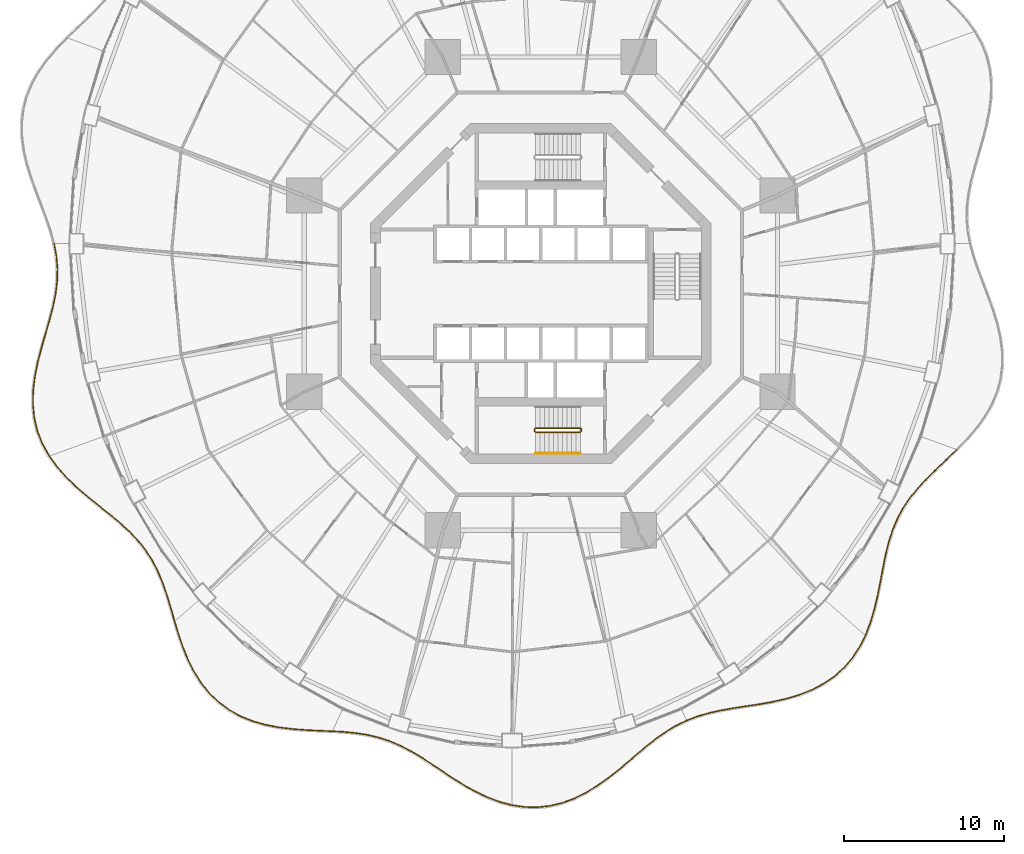
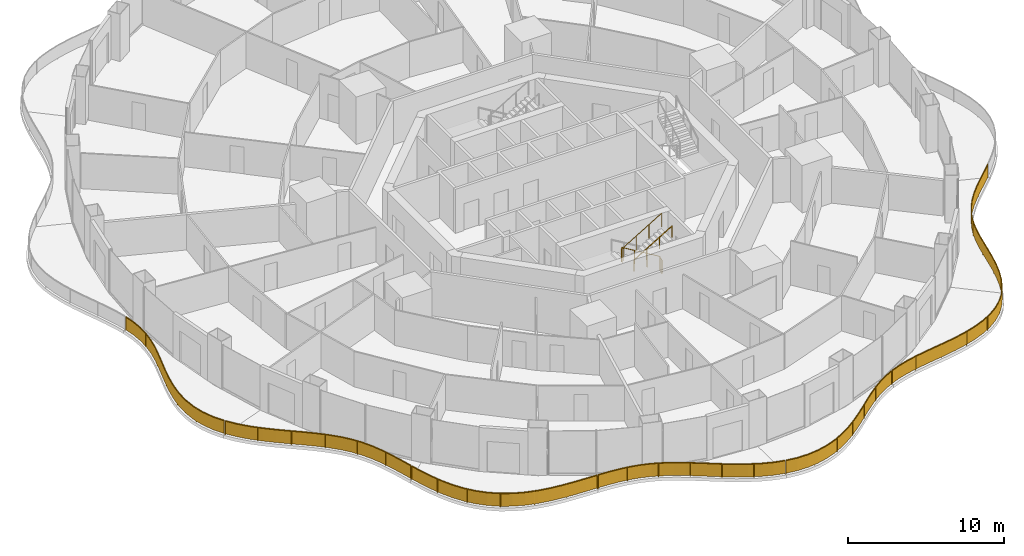
# One storey, part 20 of 22: 9 railings.
"""IFC4 building model written with IfcOpenShell, lengths in metres."""

from ifc_helpers import new_model, si_unit, direction, frame, origin, origin_2d, place, context, subcontext, project, spatial, polyline, rectangle, circle, outline, extrude, material, type_object, element, save


model = new_model("IFC4")

# Units and contexts
model_context = context("Model", 3, precision=1e-05, world=origin(), true_north=direction((0.0, 1.0)))
body_context = subcontext(model_context, "Body", "Model", "MODEL_VIEW")
ifc_project = project(units=[si_unit("LENGTHUNIT", "METRE"), si_unit("AREAUNIT", "SQUARE_METRE"), si_unit("VOLUMEUNIT", "CUBIC_METRE"), si_unit("PLANEANGLEUNIT", "RADIAN"), si_unit("MASSUNIT", "GRAM", prefix="KILO")], contexts=[model_context])

# Site, building, storey
site_placement = place(None, origin())
site = spatial("IfcSite", under=ifc_project, at=site_placement, CompositionType="ELEMENT")
building_placement = place(site_placement, origin())
building = spatial("IfcBuilding", under=site, at=building_placement, Name="Nagisa Residences", CompositionType="ELEMENT")
storey_placement = place(building_placement, frame((0.0, 0.0, 80.699951171875)))
storey = spatial("IfcBuildingStorey", under=building, at=storey_placement, Name="L19", CompositionType="ELEMENT", Elevation=80.699951171875)

# Railings
ifc_material_1 = material(Name="Stainless steel 316", Category="steel")
railing_type_1 = type_object("IfcRailingType", Name="BALCONY GUARD 1100", PredefinedType="BALUSTRADE", material=ifc_material_1)
railing_1_placement = place(storey_placement, frame((-30.3935546875, 3.0830078125, 0.0)))
element("IfcRailing", 1, at=railing_1_placement, inside=storey, type_object=railing_type_1, Name="guard:L19:bal08-0", PredefinedType="BALUSTRADE", context=body_context, shape_type="SweptSolid", body=[
    extrude(outline(polyline([(0.16259765625, -0.743408203125), (0.024658203125, 0.004638671875), (-0.024658203125, -0.004638671875), (0.11279296875, -0.749755859375), (0.17626953125, -1.533447265625), (0.156982421875, -2.32080078125), (0.058837890625, -3.11865234375), (-0.10693359375, -3.931640625), (-0.32470703125, -4.749267578125), (-0.570068359375, -5.599609375), (-0.819580078125, -6.467529296875), (-1.047119140625, -7.349609375), (-1.226806640625, -8.239501953125), (-1.338623046875, -9.115966796875), (-1.35693359375, -9.997314453125), (-1.269287109375, -10.860107421875), (-1.06884765625, -11.695556640625), (-0.753662109375, -12.4951171875), (-0.3515625, -13.211669921875), (-0.30810546875, -13.187255859375), (-0.708251953125, -12.4736328125), (-1.02099609375, -11.680419921875), (-1.219970703125, -10.851806640625), (-1.306640625, -9.995361328125), (-1.288818359375, -9.119873046875), (-1.177490234375, -8.247802734375), (-0.998291015625, -7.36083984375), (-0.771240234375, -6.480712890625), (-0.52197265625, -5.61328125), (-0.2763671875, -4.762451171875), (-0.05810546875, -3.94287109375), (0.108154296875, -3.126953125), (0.206787109375, -2.32470703125), (0.2265625, -1.531982421875), (0.16259765625, -0.743408203125)])), frame((0.0, 0.0, 1.050048828125)), (0.0, 0.0, 1.0), 0.050048828125),
    extrude(outline(polyline([(0.14453125, -0.74560546875), (0.0068359375, 0.001220703125), (-0.0068359375, -0.001220703125), (0.130859375, -0.74755859375), (0.1943359375, -1.532958984375), (0.1748046875, -2.322265625), (0.07666015625, -3.12158203125), (-0.08935546875, -3.935546875), (-0.307373046875, -4.75390625), (-0.552734375, -5.6044921875), (-0.80224609375, -6.47216796875), (-1.029541015625, -7.353759765625), (-1.208984375, -8.242431640625), (-1.32080078125, -9.117431640625), (-1.3388671875, -9.99658203125), (-1.25146484375, -10.857177734375), (-1.051513671875, -11.690185546875), (-0.7373046875, -12.4873046875), (-0.3359375, -13.202880859375), (-0.32373046875, -13.196044921875), (-0.724609375, -12.4814453125), (-1.038330078125, -11.685791015625), (-1.23779296875, -10.854736328125), (-1.32470703125, -9.99609375), (-1.306640625, -9.118408203125), (-1.1953125, -8.244873046875), (-1.015869140625, -7.356689453125), (-0.78857421875, -6.47607421875), (-0.5390625, -5.6083984375), (-0.293701171875, -4.7578125), (-0.07568359375, -3.93896484375), (0.09033203125, -3.1240234375), (0.18896484375, -2.3232421875), (0.20849609375, -1.532470703125), (0.14453125, -0.74560546875)])), frame((0.0, 0.0, 0.06005859375)), (0.0, 0.0, 1.0), 0.989990234375),
    extrude(rectangle(XDim=0.0400390625, YDim=0.0400390625, at=origin_2d()), origin(), (0.0, 0.0, 1.0), 1.050048828125),
    extrude(rectangle(XDim=0.0400390625, YDim=0.0400390625, at=origin_2d()), frame((0.183837890625, -2.248291015625, 0.0)), (0.0, 0.0, 1.0), 1.050048828125),
    extrude(rectangle(XDim=0.0400390625, YDim=0.0400390625, at=origin_2d()), frame((-0.224609375, -4.470703125, 0.0)), (0.0, 0.0, 1.0), 1.050048828125),
    extrude(rectangle(XDim=0.0400390625, YDim=0.0400390625, at=origin_2d()), frame((-0.840576171875, -6.64892578125, 0.0)), (0.0, 0.0, 1.0), 1.050048828125),
    extrude(rectangle(XDim=0.0400390625, YDim=0.0400390625, at=origin_2d()), frame((-1.28173828125, -8.86669921875, 0.0)), (0.0, 0.0, 1.0), 1.050048828125),
    extrude(rectangle(XDim=0.0400390625, YDim=0.0400390625, at=origin_2d()), frame((-1.18212890625, -11.116455078125, 0.0)), (0.0, 0.0, 1.0), 1.050048828125),
    extrude(rectangle(XDim=0.0400390625, YDim=0.0400390625, at=origin_2d()), frame((-0.329833984375, -13.199462890625, 0.0)), (0.0, 0.0, 1.0), 1.050048828125),
])
railing_2_placement = place(storey_placement, frame((-30.68115234375, -10.18115234375, 0.0)))
element("IfcRailing", 2, at=railing_2_placement, inside=storey, type_object=railing_type_1, Name="guard:L19:bal09-0", PredefinedType="BALUSTRADE", context=body_context, shape_type="SweptSolid", body=[
    extrude(outline(polyline([(0.49609375, -0.63671875), (0.020263671875, 0.0146484375), (-0.020263671875, -0.0146484375), (0.45703125, -0.66796875), (1.03662109375, -1.318603515625), (1.672607421875, -1.930419921875), (2.343505859375, -2.50927734375), (3.02685546875, -3.063232421875), (3.6943359375, -3.59033203125), (4.340087890625, -4.127685546875), (4.940673828125, -4.675048828125), (5.48486328125, -5.24365234375), (5.965576171875, -5.843505859375), (6.37353515625, -6.470703125), (6.72998046875, -7.155029296875), (7.03515625, -7.885498046875), (7.30224609375, -8.659423828125), (7.548095703125, -9.469970703125), (7.775634765625, -10.263427734375), (7.823974609375, -10.249755859375), (7.595947265625, -9.455810546875), (7.35009765625, -8.643798828125), (7.08203125, -7.867431640625), (6.775390625, -7.133544921875), (6.4169921875, -6.4453125), (6.006103515625, -5.814208984375), (5.5224609375, -5.21044921875), (4.975830078125, -4.639404296875), (4.372802734375, -4.090087890625), (3.72607421875, -3.55126953125), (3.05810546875, -3.024169921875), (2.375732421875, -2.470703125), (1.706298828125, -1.893310546875), (1.07275390625, -1.283935546875), (0.49609375, -0.63671875)])), frame((0.0, 0.0, 1.050048828125)), (0.0, 0.0, 1.0), 0.050048828125),
    extrude(outline(polyline([(0.48193359375, -0.64794921875), (0.005615234375, 0.004150390625), (-0.005615234375, -0.004150390625), (0.47119140625, -0.65673828125), (1.049560546875, -1.30615234375), (1.684814453125, -1.9169921875), (2.355224609375, -2.495361328125), (3.0380859375, -3.049072265625), (3.705810546875, -3.576171875), (4.351806640625, -4.1142578125), (4.953369140625, -4.662353515625), (5.498291015625, -5.231689453125), (5.980224609375, -5.8330078125), (6.38916015625, -6.46142578125), (6.746337890625, -7.147216796875), (7.052001953125, -7.87890625), (7.319580078125, -8.65380859375), (7.565185546875, -9.46484375), (7.79296875, -10.258544921875), (7.806640625, -10.254638671875), (7.578857421875, -9.4609375), (7.332763671875, -8.6494140625), (7.065185546875, -7.8740234375), (6.759033203125, -7.141357421875), (6.4013671875, -6.45458984375), (5.991455078125, -5.82470703125), (5.509033203125, -5.222412109375), (4.963134765625, -4.652099609375), (4.361083984375, -4.103515625), (3.714599609375, -3.5654296875), (3.046875, -3.038330078125), (2.364013671875, -2.484619140625), (1.694091796875, -1.90673828125), (1.059814453125, -1.29638671875), (0.48193359375, -0.64794921875)])), frame((0.0, 0.0, 0.06005859375)), (0.0, 0.0, 1.0), 0.989990234375),
    extrude(rectangle(XDim=0.0400390625, YDim=0.0400390625, at=origin_2d()), origin(), (0.0, 0.0, 1.0), 1.050048828125),
    extrude(rectangle(XDim=0.0400390625, YDim=0.0400390625, at=origin_2d()), frame((1.431396484375, -1.663818359375, 0.0)), (0.0, 0.0, 1.0), 1.050048828125),
    extrude(rectangle(XDim=0.0400390625, YDim=0.0400390625, at=origin_2d()), frame((3.103515625, -3.091796875, 0.0)), (0.0, 0.0, 1.0), 1.050048828125),
    extrude(rectangle(XDim=0.0400390625, YDim=0.0400390625, at=origin_2d()), frame((4.78955078125, -4.50341796875, 0.0)), (0.0, 0.0, 1.0), 1.050048828125),
    extrude(rectangle(XDim=0.0400390625, YDim=0.0400390625, at=origin_2d()), frame((6.21044921875, -6.173828125, 0.0)), (0.0, 0.0, 1.0), 1.050048828125),
    extrude(rectangle(XDim=0.0400390625, YDim=0.0400390625, at=origin_2d()), frame((7.154296875, -8.154052734375, 0.0)), (0.0, 0.0, 1.0), 1.050048828125),
    extrude(rectangle(XDim=0.0400390625, YDim=0.0400390625, at=origin_2d()), frame((7.7998046875, -10.256591796875, 0.0)), (0.0, 0.0, 1.0), 1.050048828125),
])
railing_3_placement = place(storey_placement, frame((-22.861328125, -20.51123046875, 0.0)))
element("IfcRailing", 3, at=railing_3_placement, inside=storey, type_object=railing_type_1, Name="guard:L19:bal10-0", PredefinedType="BALUSTRADE", context=body_context, shape_type="SweptSolid", body=[
    extrude(outline(polyline([(0.253662109375, -0.758056640625), (0.02392578125, 0.007080078125), (-0.02392578125, -0.007080078125), (0.205810546875, -0.773193359375), (0.48193359375, -1.578857421875), (0.80224609375, -2.365478515625), (1.17919921875, -3.11767578125), (1.62109375, -3.820068359375), (2.12109375, -4.44921875), (2.70458984375, -5.0146484375), (3.356201171875, -5.498291015625), (4.06982421875, -5.89697265625), (4.836181640625, -6.210693359375), (5.631103515625, -6.4365234375), (6.4658203125, -6.599853515625), (7.31689453125, -6.706787109375), (8.170166015625, -6.772216796875), (9.01416015625, -6.81396484375), (9.79541015625, -6.84619140625), (9.79736328125, -6.79638671875), (9.0166015625, -6.76416015625), (8.173095703125, -6.722412109375), (7.32177734375, -6.656982421875), (6.4736328125, -6.550537109375), (5.642822265625, -6.3876953125), (4.852783203125, -6.163330078125), (4.091796875, -5.8515625), (3.383544921875, -5.456298828125), (2.73681640625, -4.9765625), (2.158203125, -4.41552734375), (1.662109375, -3.791259765625), (1.22265625, -3.09326171875), (0.84765625, -2.344970703125), (0.52880859375, -1.561279296875), (0.253662109375, -0.758056640625)])), frame((0.0, 0.0, 1.050048828125)), (0.0, 0.0, 1.0), 0.050048828125),
    extrude(outline(polyline([(0.236328125, -0.763427734375), (0.006591796875, 0.001953125), (-0.006591796875, -0.001953125), (0.22314453125, -0.767822265625), (0.498779296875, -1.572509765625), (0.818603515625, -2.358154296875), (1.19482421875, -3.10888671875), (1.635986328125, -3.809814453125), (2.134521484375, -4.43701171875), (2.716064453125, -5.0009765625), (3.365966796875, -5.483154296875), (4.077880859375, -5.880615234375), (4.84228515625, -6.193603515625), (5.63525390625, -6.4189453125), (6.468505859375, -6.58203125), (7.318603515625, -6.68896484375), (8.171142578125, -6.75439453125), (9.01513671875, -6.796142578125), (9.796142578125, -6.828369140625), (9.796630859375, -6.814208984375), (9.015625, -6.781982421875), (8.172119140625, -6.740234375), (7.320068359375, -6.6748046875), (6.470947265625, -6.568359375), (5.638671875, -6.4052734375), (4.8466796875, -6.180419921875), (4.083740234375, -5.867919921875), (3.373779296875, -5.471435546875), (2.725341796875, -4.990234375), (2.144775390625, -4.427734375), (1.647216796875, -3.801513671875), (1.20703125, -3.10205078125), (0.831298828125, -2.352294921875), (0.511962890625, -1.567626953125), (0.236328125, -0.763427734375)])), frame((0.0, 0.0, 0.06005859375)), (0.0, 0.0, 1.0), 0.989990234375),
    extrude(rectangle(XDim=0.0400390625, YDim=0.0400390625, at=origin_2d()), origin(), (0.0, 0.0, 1.0), 1.050048828125),
    extrude(rectangle(XDim=0.0400390625, YDim=0.0400390625, at=origin_2d()), frame((0.71484375, -2.084716796875, 0.0)), (0.0, 0.0, 1.0), 1.050048828125),
    extrude(rectangle(XDim=0.0400390625, YDim=0.0400390625, at=origin_2d()), frame((1.794921875, -3.998779296875, 0.0)), (0.0, 0.0, 1.0), 1.050048828125),
    extrude(rectangle(XDim=0.0400390625, YDim=0.0400390625, at=origin_2d()), frame((3.3994140625, -5.49365234375, 0.0)), (0.0, 0.0, 1.0), 1.050048828125),
    extrude(rectangle(XDim=0.0400390625, YDim=0.0400390625, at=origin_2d()), frame((5.421142578125, -6.350830078125, 0.0)), (0.0, 0.0, 1.0), 1.050048828125),
    extrude(rectangle(XDim=0.0400390625, YDim=0.0400390625, at=origin_2d()), frame((7.594482421875, -6.703125, 0.0)), (0.0, 0.0, 1.0), 1.050048828125),
    extrude(rectangle(XDim=0.0400390625, YDim=0.0400390625, at=origin_2d()), frame((9.79638671875, -6.8212890625, 0.0)), (0.0, 0.0, 1.0), 1.050048828125),
])
railing_4_placement = place(storey_placement, frame((-12.990234375, -27.334228515625, 0.0)))
element("IfcRailing", 4, at=railing_4_placement, inside=storey, type_object=railing_type_1, Name="guard:L19:bal11-0", PredefinedType="BALUSTRADE", context=body_context, shape_type="SweptSolid", body=[
    extrude(outline(polyline([(0.729736328125, -0.018310546875), (0.00146484375, 0.02490234375), (-0.00146484375, -0.02490234375), (0.725830078125, -0.068115234375), (1.47119140625, -0.143310546875), (2.189208984375, -0.25830078125), (2.88134765625, -0.42333984375), (3.552001953125, -0.643798828125), (4.18994140625, -0.9169921875), (4.836181640625, -1.25048828125), (5.48095703125, -1.63232421875), (6.132080078125, -2.05224609375), (6.795654296875, -2.495361328125), (7.459716796875, -2.942626953125), (8.16357421875, -3.380615234375), (8.89013671875, -3.78759765625), (9.6396484375, -4.144287109375), (10.4091796875, -4.434326171875), (11.146484375, -4.63134765625), (11.1591796875, -4.5830078125), (10.42431640625, -4.386474609375), (9.6591796875, -4.098388671875), (8.9130859375, -3.7431640625), (8.18896484375, -3.337646484375), (7.487060546875, -2.900634765625), (6.823486328125, -2.453857421875), (6.159423828125, -2.01025390625), (5.50732421875, -1.58984375), (4.860595703125, -1.20654296875), (4.21142578125, -0.87158203125), (3.569580078125, -0.596923828125), (2.89501953125, -0.375), (2.198974609375, -0.208984375), (1.4775390625, -0.093505859375), (0.729736328125, -0.018310546875)])), frame((0.0, 0.0, 1.050048828125)), (0.0, 0.0, 1.0), 0.050048828125),
    extrude(outline(polyline([(0.728271484375, -0.0361328125), (0.00048828125, 0.007080078125), (-0.00048828125, -0.007080078125), (0.727294921875, -0.05029296875), (1.473388671875, -0.125244140625), (2.192626953125, -0.240478515625), (2.88623046875, -0.406005859375), (3.558349609375, -0.626953125), (4.19775390625, -0.900634765625), (4.844970703125, -1.234619140625), (5.490478515625, -1.616943359375), (6.141845703125, -2.037109375), (6.8056640625, -2.48046875), (7.469482421875, -2.927490234375), (8.172607421875, -3.365234375), (8.8984375, -3.771484375), (9.646728515625, -4.127685546875), (10.41455078125, -4.4169921875), (11.151123046875, -4.614013671875), (11.154541015625, -4.600341796875), (10.4189453125, -4.40380859375), (9.652099609375, -4.114990234375), (8.90478515625, -3.75927734375), (8.179931640625, -3.35302734375), (7.477294921875, -2.915771484375), (6.8134765625, -2.46875), (6.149658203125, -2.025390625), (5.497802734375, -1.605224609375), (4.851806640625, -1.222412109375), (4.20361328125, -0.887939453125), (3.563232421875, -0.61376953125), (2.89013671875, -0.392333984375), (2.195556640625, -0.226806640625), (1.475341796875, -0.111572265625), (0.728271484375, -0.0361328125)])), frame((0.0, 0.0, 0.06005859375)), (0.0, 0.0, 1.0), 0.989990234375),
    extrude(rectangle(XDim=0.0400390625, YDim=0.0400390625, at=origin_2d()), origin(), (0.0, 0.0, 1.0), 1.050048828125),
    extrude(rectangle(XDim=0.0400390625, YDim=0.0400390625, at=origin_2d()), frame((2.029296875, -0.207275390625, 0.0)), (0.0, 0.0, 1.0), 1.050048828125),
    extrude(rectangle(XDim=0.0400390625, YDim=0.0400390625, at=origin_2d()), frame((3.977294921875, -0.798583984375, 0.0)), (0.0, 0.0, 1.0), 1.050048828125),
    extrude(rectangle(XDim=0.0400390625, YDim=0.0400390625, at=origin_2d()), frame((5.76220703125, -1.783935546875, 0.0)), (0.0, 0.0, 1.0), 1.050048828125),
    extrude(rectangle(XDim=0.0400390625, YDim=0.0400390625, at=origin_2d()), frame((7.462158203125, -2.9140625, 0.0)), (0.0, 0.0, 1.0), 1.050048828125),
    extrude(rectangle(XDim=0.0400390625, YDim=0.0400390625, at=origin_2d()), frame((9.234375, -3.923828125, 0.0)), (0.0, 0.0, 1.0), 1.050048828125),
    extrude(rectangle(XDim=0.0400390625, YDim=0.0400390625, at=origin_2d()), frame((11.15283203125, -4.607177734375, 0.0)), (0.0, 0.0, 1.0), 1.050048828125),
])
railing_5_placement = place(storey_placement, frame((-1.76171875, -31.95751953125, 0.0)))
element("IfcRailing", 5, at=railing_5_placement, inside=storey, type_object=railing_type_1, Name="guard:L19:bal12-0", PredefinedType="BALUSTRADE", context=body_context, shape_type="SweptSolid", body=[
    extrude(outline(polyline([(0.746337890625, -0.08447265625), (0.003662109375, 0.024658203125), (-0.003662109375, -0.024658203125), (0.742431640625, -0.13427734375), (1.5390625, -0.150146484375), (2.33056640625, -0.0634765625), (3.109130859375, 0.123046875), (3.86767578125, 0.402587890625), (4.58642578125, 0.76171875), (5.2939453125, 1.191162109375), (5.97314453125, 1.67138671875), (6.62548828125, 2.18359375), (7.25390625, 2.709716796875), (7.846923828125, 3.225341796875), (8.445556640625, 3.724365234375), (9.041015625, 4.187744140625), (9.6416015625, 4.60498046875), (10.255859375, 4.968505859375), (10.85302734375, 5.25830078125), (10.8310546875, 5.30322265625), (10.23193359375, 5.012451171875), (9.61474609375, 4.64697265625), (9.01123046875, 4.228271484375), (8.414306640625, 3.763427734375), (7.814697265625, 3.263427734375), (7.22119140625, 2.747802734375), (6.59375, 2.22265625), (5.943359375, 1.71142578125), (5.2666015625, 1.233154296875), (4.56201171875, 0.8056640625), (3.84765625, 0.448486328125), (3.094482421875, 0.1708984375), (2.32177734375, -0.01416015625), (1.53662109375, -0.099853515625), (0.746337890625, -0.08447265625)])), frame((0.0, 0.0, 1.050048828125)), (0.0, 0.0, 1.0), 0.050048828125),
    extrude(outline(polyline([(0.744873046875, -0.102294921875), (0.0009765625, 0.0068359375), (-0.0009765625, -0.0068359375), (0.743896484375, -0.116455078125), (1.5380859375, -0.132080078125), (2.327392578125, -0.045654296875), (3.103759765625, 0.140380859375), (3.8603515625, 0.419189453125), (4.57763671875, 0.777587890625), (5.2841796875, 1.206298828125), (5.96240234375, 1.685791015625), (6.614013671875, 2.19775390625), (7.2421875, 2.723388671875), (7.83544921875, 3.239013671875), (8.434326171875, 3.738525390625), (9.0302734375, 4.202392578125), (9.6318359375, 4.6201171875), (10.247314453125, 4.984375), (10.84521484375, 5.2744140625), (10.8388671875, 5.287109375), (10.240478515625, 4.99658203125), (9.62451171875, 4.6318359375), (9.02197265625, 4.213623046875), (8.425537109375, 3.749267578125), (7.826171875, 3.249755859375), (7.23291015625, 2.734130859375), (6.605224609375, 2.20849609375), (5.9541015625, 1.697021484375), (5.2763671875, 1.218017578125), (4.57080078125, 0.789794921875), (3.85498046875, 0.431884765625), (3.099853515625, 0.153564453125), (2.324951171875, -0.031982421875), (1.53759765625, -0.117919921875), (0.744873046875, -0.102294921875)])), frame((0.0, 0.0, 0.06005859375)), (0.0, 0.0, 1.0), 0.989990234375),
    extrude(rectangle(XDim=0.0400390625, YDim=0.0400390625, at=origin_2d()), origin(), (0.0, 0.0, 1.0), 1.050048828125),
    extrude(rectangle(XDim=0.0400390625, YDim=0.0400390625, at=origin_2d()), frame((2.06884765625, -0.06689453125, 0.0)), (0.0, 0.0, 1.0), 1.050048828125),
    extrude(rectangle(XDim=0.0400390625, YDim=0.0400390625, at=origin_2d()), frame((4.052978515625, 0.523193359375, 0.0)), (0.0, 0.0, 1.0), 1.050048828125),
    extrude(rectangle(XDim=0.0400390625, YDim=0.0400390625, at=origin_2d()), frame((5.82861328125, 1.599853515625, 0.0)), (0.0, 0.0, 1.0), 1.050048828125),
    extrude(rectangle(XDim=0.0400390625, YDim=0.0400390625, at=origin_2d()), frame((7.444580078125, 2.90869140625, 0.0)), (0.0, 0.0, 1.0), 1.050048828125),
    extrude(rectangle(XDim=0.0400390625, YDim=0.0400390625, at=origin_2d()), frame((9.05322265625, 4.226806640625, 0.0)), (0.0, 0.0, 1.0), 1.050048828125),
    extrude(rectangle(XDim=0.0400390625, YDim=0.0400390625, at=origin_2d()), frame((10.842041015625, 5.28076171875, 0.0)), (0.0, 0.0, 1.0), 1.050048828125),
])
railing_6_placement = place(storey_placement, frame((9.1435546875, -26.64990234375, 0.0)))
element("IfcRailing", 6, at=railing_6_placement, inside=storey, type_object=railing_type_1, Name="guard:L19:bal13-0", PredefinedType="BALUSTRADE", context=body_context, shape_type="SweptSolid", body=[
    extrude(outline(polyline([(0.64111328125, 0.2705078125), (-0.0087890625, 0.0234375), (0.0087890625, -0.0234375), (0.6572265625, 0.22314453125), (1.37744140625, 0.4326171875), (2.13232421875, 0.599853515625), (2.919189453125, 0.73876953125), (3.732666015625, 0.864990234375), (4.551025390625, 0.986572265625), (5.390625, 1.1396484375), (6.22412109375, 1.3310546875), (7.037841796875, 1.575927734375), (7.817138671875, 1.885986328125), (8.536376953125, 2.2587890625), (9.20751953125, 2.7197265625), (9.809814453125, 3.2587890625), (10.336669921875, 3.872314453125), (10.7861328125, 4.55224609375), (11.13671875, 5.24755859375), (11.091796875, 5.27001953125), (10.74267578125, 4.57763671875), (10.296630859375, 3.902587890625), (9.774169921875, 3.2939453125), (9.1767578125, 2.75927734375), (8.510498046875, 2.3017578125), (7.796142578125, 1.931396484375), (7.021240234375, 1.623291015625), (6.21142578125, 1.37939453125), (5.38037109375, 1.1884765625), (4.542724609375, 1.035888671875), (3.725341796875, 0.914306640625), (2.910888671875, 0.7880859375), (2.12255859375, 0.649169921875), (1.365234375, 0.48095703125), (0.64111328125, 0.2705078125)])), frame((0.0, 0.0, 1.050048828125)), (0.0, 0.0, 1.0), 0.050048828125),
    extrude(outline(polyline([(0.64697265625, 0.25341796875), (-0.00244140625, 0.006591796875), (0.00244140625, -0.006591796875), (0.6513671875, 0.240234375), (1.373046875, 0.449951171875), (2.12890625, 0.61767578125), (2.916259765625, 0.756591796875), (3.72998046875, 0.8828125), (4.548095703125, 1.00439453125), (5.386962890625, 1.1572265625), (6.219482421875, 1.348388671875), (7.03173828125, 1.593017578125), (7.8095703125, 1.90234375), (8.527099609375, 2.274169921875), (9.196533203125, 2.73388671875), (9.797119140625, 3.271484375), (10.322265625, 3.88330078125), (10.7705078125, 4.5615234375), (11.12060546875, 5.255615234375), (11.10791015625, 5.261962890625), (10.75830078125, 4.568359375), (10.31103515625, 3.8916015625), (9.786865234375, 3.28125), (9.187744140625, 2.7451171875), (8.519775390625, 2.286376953125), (7.8037109375, 1.9150390625), (7.02734375, 1.606201171875), (6.216064453125, 1.362060546875), (5.384033203125, 1.1708984375), (4.545654296875, 1.01806640625), (3.72802734375, 0.896484375), (2.913818359375, 0.770263671875), (2.1259765625, 0.63134765625), (1.36962890625, 0.463623046875), (0.64697265625, 0.25341796875)])), frame((0.0, 0.0, 0.06005859375)), (0.0, 0.0, 1.0), 0.989990234375),
    extrude(rectangle(XDim=0.0400390625, YDim=0.0400390625, at=origin_2d()), origin(), (0.0, 0.0, 1.0), 1.050048828125),
    extrude(rectangle(XDim=0.0400390625, YDim=0.0400390625, at=origin_2d()), frame((2.0546875, 0.6083984375, 0.0)), (0.0, 0.0, 1.0), 1.050048828125),
    extrude(rectangle(XDim=0.0400390625, YDim=0.0400390625, at=origin_2d()), frame((4.1728515625, 0.95556640625, 0.0)), (0.0, 0.0, 1.0), 1.050048828125),
    extrude(rectangle(XDim=0.0400390625, YDim=0.0400390625, at=origin_2d()), frame((6.27734375, 1.373046875, 0.0)), (0.0, 0.0, 1.0), 1.050048828125),
    extrude(rectangle(XDim=0.0400390625, YDim=0.0400390625, at=origin_2d()), frame((8.272705078125, 2.150146484375, 0.0)), (0.0, 0.0, 1.0), 1.050048828125),
    extrude(rectangle(XDim=0.0400390625, YDim=0.0400390625, at=origin_2d()), frame((9.953369140625, 3.46435546875, 0.0)), (0.0, 0.0, 1.0), 1.050048828125),
    extrude(rectangle(XDim=0.0400390625, YDim=0.0400390625, at=origin_2d()), frame((11.1142578125, 5.2587890625, 0.0)), (0.0, 0.0, 1.0), 1.050048828125),
])
railing_7_placement = place(storey_placement, frame((20.28857421875, -21.320068359375, 0.0)))
element("IfcRailing", 7, at=railing_7_placement, inside=storey, type_object=railing_type_1, Name="guard:L19:bal14-0", PredefinedType="BALUSTRADE", context=body_context, shape_type="SweptSolid", body=[
    extrude(outline(polyline([(0.274658203125, 0.783203125), (-0.0234375, 0.009033203125), (0.0234375, -0.009033203125), (0.322021484375, 0.76708984375), (0.574951171875, 1.61865234375), (0.778564453125, 2.48583984375), (0.950927734375, 3.3525390625), (1.112060546875, 4.20458984375), (1.273681640625, 5.017578125), (1.471435546875, 5.8076171875), (1.71337890625, 6.557373046875), (2.012451171875, 7.26611328125), (2.376953125, 7.93603515625), (2.802734375, 8.559814453125), (3.30078125, 9.17138671875), (3.8564453125, 9.767333984375), (4.456298828125, 10.358154296875), (5.082763671875, 10.954833984375), (5.68359375, 11.533935546875), (5.64892578125, 11.570068359375), (5.048095703125, 10.990966796875), (4.421630859375, 10.394287109375), (3.82080078125, 9.802001953125), (3.26318359375, 9.2041015625), (2.7626953125, 8.589599609375), (2.333984375, 7.96240234375), (1.967529296875, 7.2880859375), (1.66650390625, 6.574951171875), (1.423095703125, 5.8212890625), (1.224853515625, 5.0283203125), (1.062744140625, 4.21435546875), (0.901611328125, 3.3623046875), (0.729736328125, 2.49658203125), (0.526611328125, 1.63134765625), (0.274658203125, 0.783203125)])), frame((0.0, 0.0, 1.050048828125)), (0.0, 0.0, 1.0), 0.050048828125),
    extrude(outline(polyline([(0.291748046875, 0.77734375), (-0.006591796875, 0.00244140625), (0.006591796875, -0.00244140625), (0.304931640625, 0.77294921875), (0.5576171875, 1.623291015625), (0.760986328125, 2.48974609375), (0.93310546875, 3.356201171875), (1.09423828125, 4.208251953125), (1.256103515625, 5.021484375), (1.4541015625, 5.8125), (1.696533203125, 6.563720703125), (1.996337890625, 7.274169921875), (2.361328125, 7.945556640625), (2.788330078125, 8.570556640625), (3.287353515625, 9.18310546875), (3.84375, 9.77978515625), (4.44384765625, 10.37109375), (5.0703125, 10.9677734375), (5.671142578125, 11.546875), (5.661376953125, 11.55712890625), (5.060546875, 10.97802734375), (4.43408203125, 10.38134765625), (3.83349609375, 9.78955078125), (3.276611328125, 9.1923828125), (2.777099609375, 8.578857421875), (2.349609375, 7.952880859375), (1.983642578125, 7.280029296875), (1.683349609375, 6.568603515625), (1.4404296875, 5.81640625), (1.242431640625, 5.0244140625), (1.08056640625, 4.210693359375), (0.91943359375, 3.358642578125), (0.747314453125, 2.49267578125), (0.5439453125, 1.626708984375), (0.291748046875, 0.77734375)])), frame((0.0, 0.0, 0.06005859375)), (0.0, 0.0, 1.0), 0.989990234375),
    extrude(rectangle(XDim=0.0400390625, YDim=0.0400390625, at=origin_2d()), origin(), (0.0, 0.0, 1.0), 1.050048828125),
    extrude(rectangle(XDim=0.0400390625, YDim=0.0400390625, at=origin_2d()), frame((0.66259765625, 2.100830078125, 0.0)), (0.0, 0.0, 1.0), 1.050048828125),
    extrude(rectangle(XDim=0.0400390625, YDim=0.0400390625, at=origin_2d()), frame((1.09814453125, 4.26318359375, 0.0)), (0.0, 0.0, 1.0), 1.050048828125),
    extrude(rectangle(XDim=0.0400390625, YDim=0.0400390625, at=origin_2d()), frame((1.63623046875, 6.400146484375, 0.0)), (0.0, 0.0, 1.0), 1.050048828125),
    extrude(rectangle(XDim=0.0400390625, YDim=0.0400390625, at=origin_2d()), frame((2.634521484375, 8.357666015625, 0.0)), (0.0, 0.0, 1.0), 1.050048828125),
    extrude(rectangle(XDim=0.0400390625, YDim=0.0400390625, at=origin_2d()), frame((4.078369140625, 10.020751953125, 0.0)), (0.0, 0.0, 1.0), 1.050048828125),
    extrude(rectangle(XDim=0.0400390625, YDim=0.0400390625, at=origin_2d()), frame((5.666259765625, 11.552001953125, 0.0)), (0.0, 0.0, 1.0), 1.050048828125),
])
ifc_material_2 = material(Name="Stainless steel", Category="steel")
railing_type_2 = type_object("IfcRailingType", Name="Stair guard 1100", PredefinedType="GUARDRAIL", material=ifc_material_2)
railing_8_placement = place(storey_placement, frame((2.52490234375, -8.599609375, 0.0)))
element("IfcRailing", 8, at=railing_8_placement, inside=storey, type_object=railing_type_2, Name="L19 ST-S stair guard 1", PredefinedType="GUARDRAIL", context=body_context, shape_type="SweptSolid", body=[
    extrude(circle(Radius=0.02392578125, at=origin_2d()), frame((0.0, 0.0, 1.076171875), z_axis=(0.0, 1.0, 0.0), x_axis=(-1.0, 0.0, 0.0)), (0.0, 0.0, 1.0), 0.14990234375),
    extrude(circle(Radius=0.02392578125, at=origin_2d()), frame((0.0, 0.14990234375, 1.076171875), z_axis=(-0.273006030465, 0.27434429532, 0.922064485248), x_axis=(-0.708833529934, -0.705375805398, 0.0)), (0.0, 0.0, 1.0), 0.182373046875),
    extrude(circle(Radius=0.02392578125, at=origin_2d()), frame((-0.0498046875, 0.199951171875, 1.244140625), z_axis=(-0.857242210791, 0.0, 0.514913383045), x_axis=(0.0, -1.0, 0.0)), (0.0, 0.0, 1.0), 3.266357421875),
    extrude(circle(Radius=0.02392578125, at=origin_2d()), frame((-2.849853515625, 0.199951171875, 2.92626953125), z_axis=(-0.707106781187, -0.707106781187, 0.0), x_axis=(0.707106781187, -0.707106781187, 0.0)), (0.0, 0.0, 1.0), 0.07080078125),
    extrude(circle(Radius=0.02392578125, at=origin_2d()), frame((-2.89990234375, 0.14990234375, 2.92626953125), z_axis=(0.0, -1.0, 0.0), x_axis=(1.0, 0.0, 0.0)), (0.0, 0.0, 1.0), 0.14990234375),
    extrude(circle(Radius=0.02392578125, at=origin_2d()), frame((-2.89990234375, 0.0, 2.92626953125), z_axis=(0.274243871929, -0.274243871929, 0.92172696468), x_axis=(0.707106781187, 0.707106781187, 0.0)), (0.0, 0.0, 1.0), 0.1826171875),
    extrude(circle(Radius=0.02392578125, at=origin_2d()), frame((-2.849853515625, -0.050048828125, 3.09423828125), z_axis=(0.857275202839, 0.0, 0.514858452973), x_axis=(0.0, 1.0, 0.0)), (0.0, 0.0, 1.0), 3.26611328125),
    extrude(circle(Radius=0.02099609375, at=origin_2d()), origin(), (0.0, 0.0, 1.0), 1.052001953125),
    extrude(circle(Radius=0.02099609375, at=origin_2d()), frame((0.0, 0.14990234375, 0.0)), (0.0, 0.0, 1.0), 1.052001953125),
    extrude(circle(Radius=0.02099609375, at=origin_2d()), frame((-0.0498046875, 0.199951171875, 0.168212890625)), (0.0, 0.0, 1.0), 1.052001953125),
    extrude(circle(Radius=0.02099609375, at=origin_2d()), frame((-0.983154296875, 0.199951171875, 0.728759765625)), (0.0, 0.0, 1.0), 1.052001953125),
    extrude(circle(Radius=0.02099609375, at=origin_2d()), frame((-1.91650390625, 0.199951171875, 1.28955078125)), (0.0, 0.0, 1.0), 1.052001953125),
    extrude(circle(Radius=0.02099609375, at=origin_2d()), frame((-2.849853515625, 0.199951171875, 1.85009765625)), (0.0, 0.0, 1.0), 1.052001953125),
    extrude(circle(Radius=0.02099609375, at=origin_2d()), frame((-2.89990234375, 0.14990234375, 1.85009765625)), (0.0, 0.0, 1.0), 1.052001953125),
    extrude(circle(Radius=0.02099609375, at=origin_2d()), frame((-2.89990234375, 0.0, 1.85009765625)), (0.0, 0.0, 1.0), 1.052001953125),
    extrude(circle(Radius=0.02099609375, at=origin_2d()), frame((-2.849853515625, -0.050048828125, 2.018310546875)), (0.0, 0.0, 1.0), 1.052001953125),
    extrude(circle(Radius=0.02099609375, at=origin_2d()), frame((-1.91650390625, -0.050048828125, 2.578857421875)), (0.0, 0.0, 1.0), 1.052001953125),
    extrude(circle(Radius=0.02099609375, at=origin_2d()), frame((-0.983154296875, -0.050048828125, 3.139404296875)), (0.0, 0.0, 1.0), 1.052001953125),
    extrude(circle(Radius=0.02099609375, at=origin_2d()), frame((-0.0498046875, -0.050048828125, 3.699951171875)), (0.0, 0.0, 1.0), 1.052001953125),
])
ifc_material_3 = material(Name="Stainless steel", Category="steel")
railing_type_3 = type_object("IfcRailingType", Name="Stair handrail 900", PredefinedType="HANDRAIL", material=ifc_material_3)
railing_9_placement = place(storey_placement, frame((-0.324951171875, -9.974609375, 2.018310546875)))
element("IfcRailing", 9, at=railing_9_placement, inside=storey, type_object=railing_type_3, Name="L19 ST-S stair handrail 2", PredefinedType="HANDRAIL", context=body_context, shape_type="SweptSolid", body=[
    extrude(circle(Radius=0.02392578125, at=origin_2d()), frame((0.0, 0.0, 0.8759765625), z_axis=(0.857275202839, 0.0, 0.514858452973), x_axis=(0.0, 1.0, 0.0)), (0.0, 0.0, 1.0), 3.26611328125),
    extrude(circle(Radius=0.02099609375, at=origin_2d()), origin(), (0.0, 0.0, 1.0), 0.851806640625),
    extrude(circle(Radius=0.02099609375, at=origin_2d()), frame((0.933349609375, 0.0, 0.560546875)), (0.0, 0.0, 1.0), 0.851806640625),
    extrude(circle(Radius=0.02099609375, at=origin_2d()), frame((1.86669921875, 0.0, 1.12109375)), (0.0, 0.0, 1.0), 0.851806640625),
    extrude(circle(Radius=0.02099609375, at=origin_2d()), frame((2.800048828125, 0.0, 1.681640625)), (0.0, 0.0, 1.0), 0.851806640625),
])

save(model, "model.ifc")
